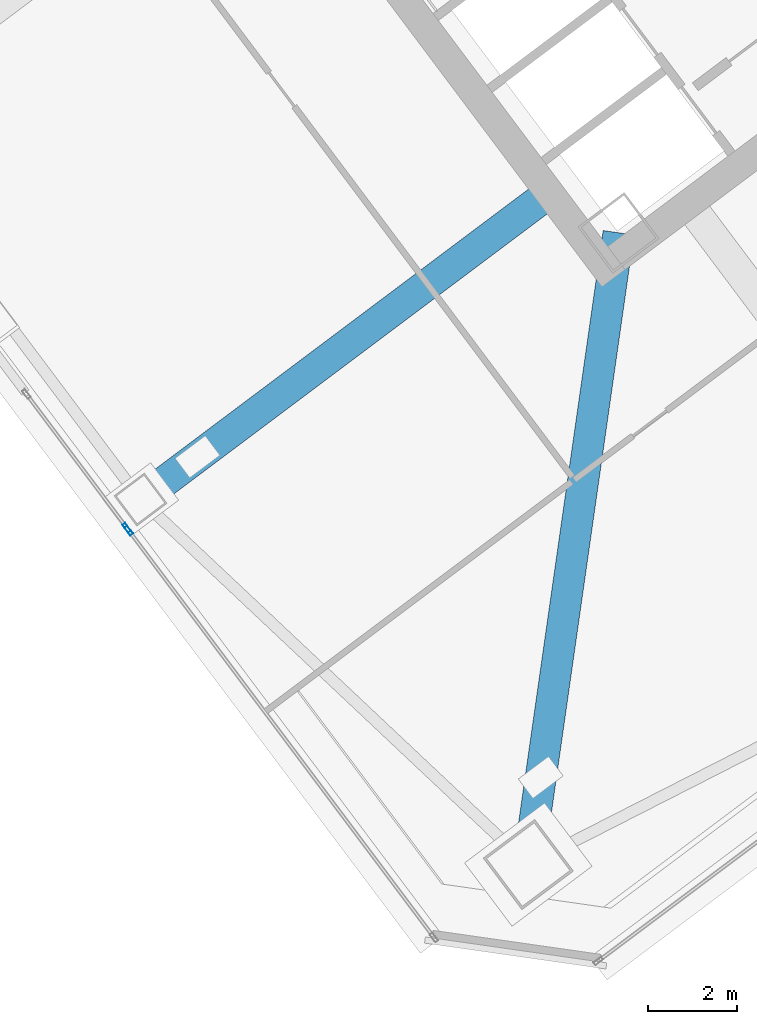
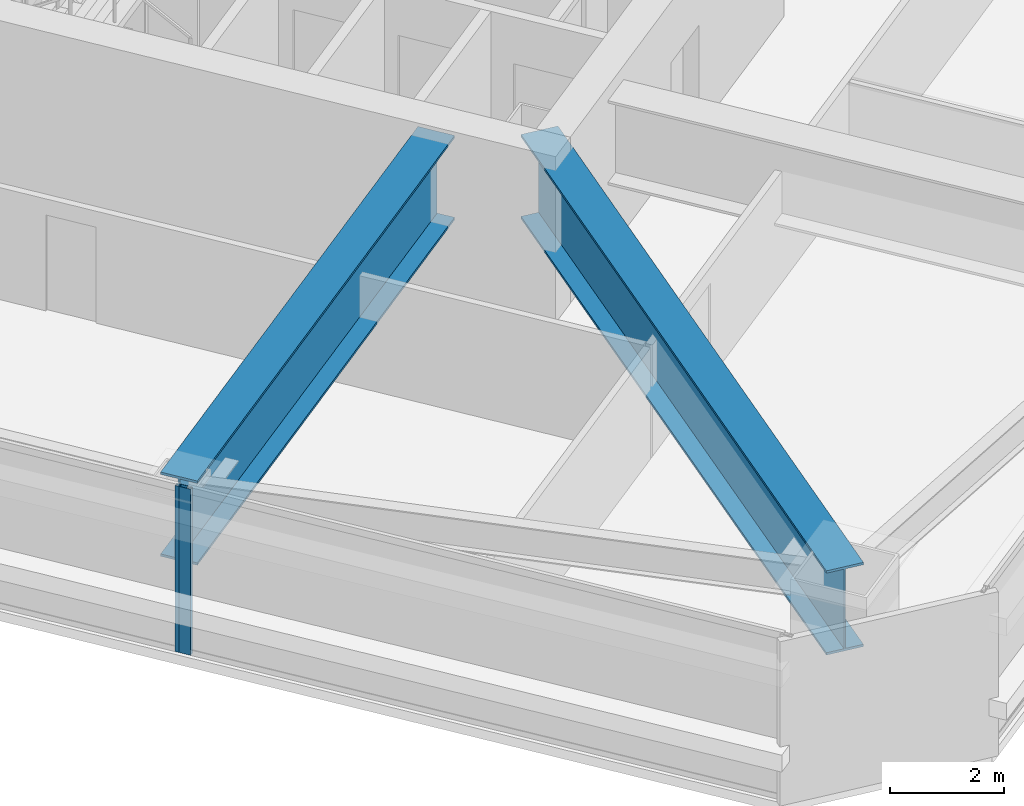
# One storey, part 20 of 49: 2 beams, 2 members, 2 elements without a shape of their own.
"""IFC4 building model written with IfcOpenShell, lengths in metres."""

from ifc_helpers import new_model, si_unit, direction, frame, origin, origin_2d, place, context, subcontext, project, spatial, hollow_rectangle, i_section, extrude, material, material_profile, profile_set, type_object, element, aggregate, save


model = new_model("IFC4")

# Units and contexts
model_context = context("Model", 3, precision=1e-05, world=origin(), true_north=direction((0.0, 1.0)))
body_context = subcontext(model_context, "Body", "Model", "MODEL_VIEW")
ifc_project = project(units=[si_unit("LENGTHUNIT", "METRE"), si_unit("AREAUNIT", "SQUARE_METRE"), si_unit("VOLUMEUNIT", "CUBIC_METRE"), si_unit("PLANEANGLEUNIT", "RADIAN"), si_unit("MASSUNIT", "GRAM", prefix="KILO")], contexts=[model_context])

# Site, building, storey
site_placement = place(None, origin())
site = spatial("IfcSite", under=ifc_project, at=site_placement, CompositionType="ELEMENT")
building_placement = place(site_placement, origin())
building = spatial("IfcBuilding", under=site, at=building_placement, Name="Tashvorn Skyway Center", CompositionType="ELEMENT")
storey_placement = place(building_placement, frame((0.0, 0.0, 106.25)))
storey = spatial("IfcBuildingStorey", under=building, at=storey_placement, Name="L28", CompositionType="ELEMENT", Elevation=106.25)

# Beams
ifc_material_1 = material(Name="Steel ASTM A572 Grade 50", Category="steel")
ifc_material_profile_1 = material_profile(ifc_material_1, i_section(OverallWidth=0.699951171875, OverallDepth=1.800048828125, WebThickness=0.031982421875, FlangeThickness=0.050048828125, at=origin_2d()), Name="PG1800x700")
ifc_profile_set_1 = profile_set([ifc_material_profile_1], Name="Steel ASTM A572 Grade 50")
beam_type = type_object("IfcBeamType", Name="BM-BEAM-PG1800x700", PredefinedType="BEAM", material=ifc_profile_set_1)
beam_1_placement = place(storey_placement, frame((110.56005859375, 7.919921875, 2.35009765625), z_axis=(0.141423737394, 0.989949153493, 0.0), x_axis=(-0.989949153493, 0.141423737394, 0.0)))
element("IfcBeam", 1, at=beam_1_placement, inside=storey, type_object=beam_type, Name="Tower 2 L28 Setback Transfer Girder MC-SW", PredefinedType="BEAM", context=body_context, shape_type="SweptSolid", body=[
    extrude(i_section(OverallWidth=0.699951171875, OverallDepth=1.800048828125, WebThickness=0.031982421875, FlangeThickness=0.050048828125, at=origin_2d()), origin(), (0.0, 0.0, 1.0), 14.354248046875),
])
beam_2_placement = place(storey_placement, frame((101.840087890625, 16.1298828125, 2.35009765625), z_axis=(0.79999744579, 0.600003405598, 0.0), x_axis=(-0.600003405598, 0.79999744579, 0.0)))
element("IfcBeam", 2, at=beam_2_placement, inside=storey, type_object=beam_type, Name="Tower 2 L28 Setback Transfer Girder FC-W2", PredefinedType="BEAM", context=body_context, shape_type="SweptSolid", body=[
    extrude(i_section(OverallWidth=0.699951171875, OverallDepth=1.800048828125, WebThickness=0.031982421875, FlangeThickness=0.050048828125, at=origin_2d()), origin(), (0.0, 0.0, 1.0), 11.469970703125),
])

# Curtain wall, member
ifc_material_2 = material(Name="Thermally broken bronze-anodized aluminium 6063-T6", Category="aluminium")
curtain_wall_type = type_object("IfcCurtainWallType", Name="CW-CW-Z2", PredefinedType="NOTDEFINED", material=ifc_material_2)
curtain_wall_1_placement = place(storey_placement, origin())
curtain_wall_1 = element("IfcCurtainWall", 3, at=curtain_wall_1_placement, inside=storey, type_object=curtain_wall_type, Name="Tower 2 L28 West Unitised Curtain Wall Glazing Group 1", PredefinedType="NOTDEFINED")
ifc_material_profile_2 = material_profile(ifc_material_2, hollow_rectangle(XDim=0.080078125, YDim=0.219970703125, WallThickness=0.0048828125, at=origin_2d()), Name="ALU-MULL-80x220")
ifc_profile_set_2 = profile_set([ifc_material_profile_2], Name="Thermally broken bronze-anodized aluminium 6063-T6")
member_type = type_object("IfcMemberType", Name="CWM-CW-Z2", PredefinedType="MULLION", material=ifc_profile_set_2)
member_1_placement = place(storey_placement, frame((101.575927734375, 15.431884765625, 0.0), z_axis=(0.0, 0.0, 1.0), x_axis=(-0.799999999998, -0.600000000002, 0.0)))
member_1 = element("IfcMember", 4, at=member_1_placement, type_object=member_type, Name="CW-Z2 mullion 2", PredefinedType="MULLION", context=body_context, shape_type="SweptSolid", body=[
    extrude(hollow_rectangle(XDim=0.080078125, YDim=0.219970703125, WallThickness=0.0048828125, at=origin_2d()), origin(), (0.0, 0.0, 1.0), 3.550048828125),
])
aggregate(curtain_wall_1, [member_1])

curtain_wall_2_placement = place(storey_placement, origin())
curtain_wall_2 = element("IfcCurtainWall", 5, at=curtain_wall_2_placement, inside=storey, type_object=curtain_wall_type, Name="Tower 2 L28 West Unitised Curtain Wall Glazing Group 2", PredefinedType="NOTDEFINED")
member_2_placement = place(storey_placement, frame((101.528076171875, 15.49609375, 0.0), z_axis=(0.0, 0.0, 1.0), x_axis=(-0.799999999998, -0.600000000002, 0.0)))
member_2 = element("IfcMember", 6, at=member_2_placement, type_object=member_type, Name="CW-Z2 mullion 1", PredefinedType="MULLION", context=body_context, shape_type="SweptSolid", body=[
    extrude(hollow_rectangle(XDim=0.080078125, YDim=0.219970703125, WallThickness=0.0048828125, at=origin_2d()), origin(), (0.0, 0.0, 1.0), 3.550048828125),
])
aggregate(curtain_wall_2, [member_2])

save(model, "model.ifc")
